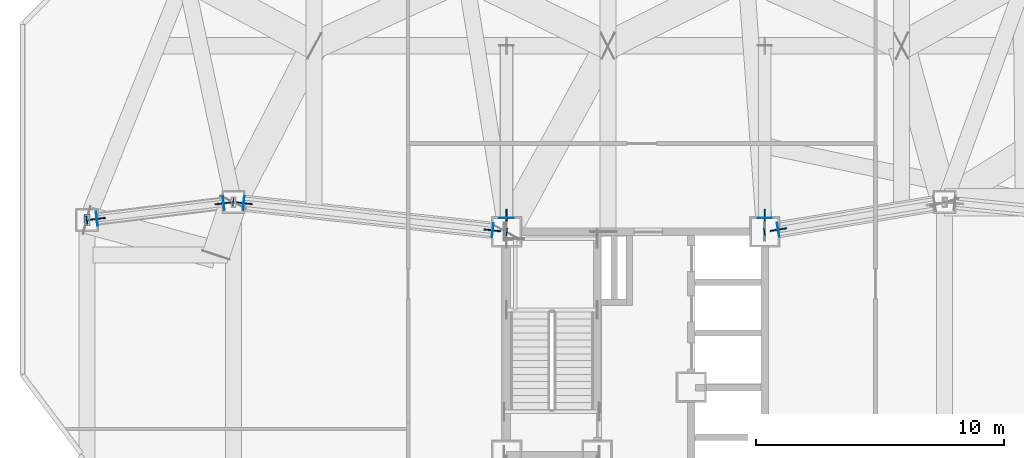
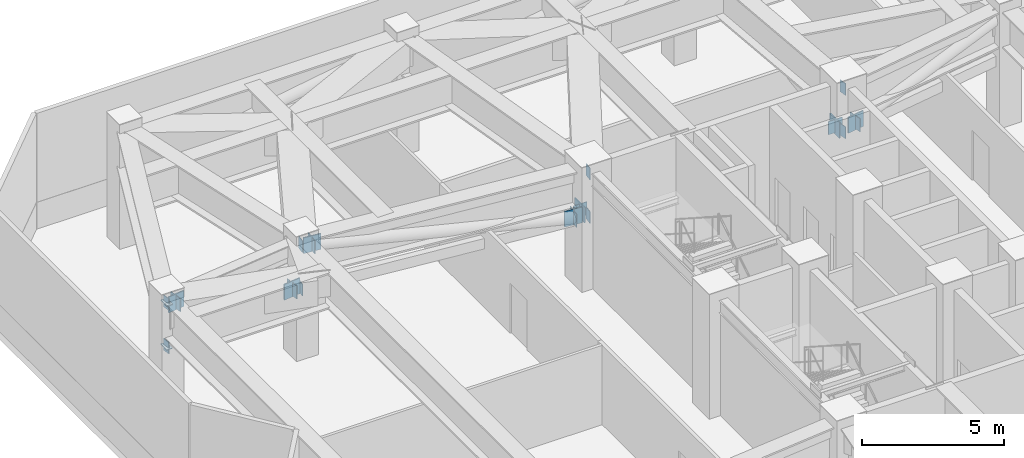
# One storey, part 10 of 19: 24 plates.
"""IFC4 building model written with IfcOpenShell, lengths in metres."""

from ifc_helpers import new_model, si_unit, direction, frame, origin, origin_2d, place, context, subcontext, project, spatial, rectangle, extrude, material, layer, layer_set, type_object, element, save


model = new_model("IFC4")

# Units and contexts
model_context = context("Model", 3, precision=1e-05, world=origin(), true_north=direction((0.0, 1.0)))
body_context = subcontext(model_context, "Body", "Model", "MODEL_VIEW")
ifc_project = project(units=[si_unit("LENGTHUNIT", "METRE"), si_unit("AREAUNIT", "SQUARE_METRE"), si_unit("VOLUMEUNIT", "CUBIC_METRE"), si_unit("PLANEANGLEUNIT", "RADIAN"), si_unit("MASSUNIT", "GRAM", prefix="KILO")], contexts=[model_context])

# Site, building, storey
site_placement = place(None, origin())
site = spatial("IfcSite", under=ifc_project, at=site_placement, CompositionType="ELEMENT")
building_placement = place(site_placement, origin())
building = spatial("IfcBuilding", under=site, at=building_placement, Name="Khamvora Tower", CompositionType="ELEMENT")
storey_placement = place(building_placement, frame((0.0, 0.0, 150.5)))
storey = spatial("IfcBuildingStorey", under=building, at=storey_placement, Name="L38", CompositionType="ELEMENT", Elevation=150.5)

# Plates
ifc_material_1 = material(Name="Steel S355", Category="steel")
ifc_layer_1 = layer(ifc_material_1, 0.02490234375)
ifc_layer_set_1 = layer_set([ifc_layer_1], Name="Steel S355")
plate_type_1 = type_object("IfcPlateType", Name="PL-CAP-25", PredefinedType="SHEET", material=ifc_layer_set_1)
for number, where, z_axis, x_axis, name in (
    (1, (29.011962890625, 36.9990234375, 4.375), (0.0, 0.0, 1.0), (-0.994101853063, 0.108450475968, 0.0), "L38 hollow section steel end cap plate 0808"),
    (2, (17.988037109375, 38.200927734375, 4.375), (0.0, 0.0, 1.0), (-0.994101853063, 0.108450475968, 0.0), "L38 hollow section steel end cap plate 0809"),
    (3, (29.011962890625, 36.9990234375, 2.5048828125), (0.0, 0.0, 1.0), (-0.994101853063, 0.108450475968, 0.0), "L38 hollow section steel end cap plate 0810"),
    (4, (17.988037109375, 38.200927734375, 2.5048828125), (0.0, 0.0, 1.0), (-0.994101853063, 0.108450475968, 0.0), "L38 hollow section steel end cap plate 0811"),
):
    element("IfcPlate", number, at=place(storey_placement, frame(where, z_axis=z_axis, x_axis=x_axis)), inside=storey, type_object=plate_type_1, Name=name, PredefinedType="SHEET", context=body_context, shape_type="SweptSolid", body=[
        extrude(rectangle(XDim=0.02490234375, YDim=0.31005859375, at=origin_2d()), origin(), (0.0, 0.0, 1.0), 0.510009765625),
    ])
for number, where, z_axis, x_axis, name in (
    (5, (28.443115234375, 37.06103515625, 2.57080078125), (0.0, 0.0, 1.0), (-0.994101853063, 0.108450475968, 0.0), "L38 hollow section steel end cap plate 0812"),
    (6, (18.408935546875, 38.155029296875, 4.27587890625), (0.0, 0.0, 1.0), (-0.994101853063, 0.108450475968, 0.0), "L38 hollow section steel end cap plate 0813"),
):
    element("IfcPlate", number, at=place(storey_placement, frame(where, z_axis=z_axis, x_axis=x_axis)), inside=storey, type_object=plate_type_1, Name=name, PredefinedType="SHEET", context=body_context, shape_type="SweptSolid", body=[
        extrude(rectangle(XDim=0.02490234375, YDim=0.568115234375, at=origin_2d()), origin(), (0.0, 0.0, 1.0), 0.568115234375),
    ])
for number, where, z_axis, x_axis, name in (
    (7, (12.087890625, 37.472900390625, 4.375), (0.0, 0.0, 1.0), (-0.992535512756, -0.121955958933, 0.0), "L38 hollow section steel end cap plate 0814"),
    (8, (12.087890625, 37.472900390625, 2.5048828125), (0.0, 0.0, 1.0), (-0.992535512756, -0.121955958933, 0.0), "L38 hollow section steel end cap plate 0815"),
):
    element("IfcPlate", number, at=place(storey_placement, frame(where, z_axis=z_axis, x_axis=x_axis)), inside=storey, type_object=plate_type_1, Name=name, PredefinedType="SHEET", context=body_context, shape_type="SweptSolid", body=[
        extrude(rectangle(XDim=0.02490234375, YDim=0.31005859375, at=origin_2d()), origin(), (0.0, 0.0, 1.0), 0.510009765625),
    ])
for number, where, z_axis, x_axis, name in (
    (9, (17.60498046875, 38.15087890625, 2.60107421875), (0.0, 0.0, 1.0), (-0.992533384071, -0.121973281927, 0.0), "L38 hollow section steel end cap plate 0816"),
    (10, (12.4951171875, 37.52392578125, 4.220703125), (0.0, 0.0, 1.0), (-0.992533384071, -0.121973281927, 0.0), "L38 hollow section steel end cap plate 0817"),
):
    element("IfcPlate", number, at=place(storey_placement, frame(where, z_axis=z_axis, x_axis=x_axis)), inside=storey, type_object=plate_type_1, Name=name, PredefinedType="SHEET", context=body_context, shape_type="SweptSolid", body=[
        extrude(rectangle(XDim=0.02490234375, YDim=0.568115234375, at=origin_2d()), origin(), (0.0, 0.0, 1.0), 0.568115234375),
    ])
for number, where, z_axis, x_axis, name in (
    (11, (12.10009765625, 37.47509765625, 2.735595703125), (0.0, 0.0, 1.0), (1.0, 0.0, 0.0), "L38 hollow section steel end cap plate 0818"),
    (12, (12.10009765625, 37.47509765625, 4.629638671875), (0.0, 0.0, 1.0), (1.0, 0.0, 0.0), "L38 hollow section steel end cap plate 0819"),
):
    element("IfcPlate", number, at=place(storey_placement, frame(where, z_axis=z_axis, x_axis=x_axis)), inside=storey, type_object=plate_type_1, Name=name, PredefinedType="SHEET", context=body_context, shape_type="SweptSolid", body=[
        extrude(rectangle(XDim=0.239990234375, YDim=0.43994140625, at=origin_2d()), origin(), (0.0, 0.0, 1.0), 0.02490234375),
    ])
for number, where, z_axis, x_axis, name in (
    (13, (39.387939453125, 36.998046875, 4.375), (0.0, 0.0, 1.0), (0.986577862158, 0.163291524277, 0.0), "L38 hollow section steel end cap plate 0832"),
    (14, (39.387939453125, 36.998046875, 2.5048828125), (0.0, 0.0, 1.0), (0.986577862158, 0.163291524277, 0.0), "L38 hollow section steel end cap plate 0834"),
):
    element("IfcPlate", number, at=place(storey_placement, frame(where, z_axis=z_axis, x_axis=x_axis)), inside=storey, type_object=plate_type_1, Name=name, PredefinedType="SHEET", context=body_context, shape_type="SweptSolid", body=[
        extrude(rectangle(XDim=0.02490234375, YDim=0.31005859375, at=origin_2d()), origin(), (0.0, 0.0, 1.0), 0.510009765625),
    ])
for number, where, z_axis, x_axis, name in (
    (15, (39.943115234375, 37.090087890625, 2.61572265625), (0.0, 0.0, 1.0), (0.986580711982, 0.16327430522, 0.0), "L38 hollow section steel end cap plate 0836"),
    (16, (29.0, 37.56201171875, 2.34716796875), (0.0, 0.0, 1.0), (0.0, 1.0, 0.0), "L38 hollow section steel end cap plate 0874"),
    (17, (39.39990234375, 37.56201171875, 2.34716796875), (0.0, 0.0, 1.0), (0.0, 1.0, 0.0), "L38 hollow section steel end cap plate 0876"),
):
    element("IfcPlate", number, at=place(storey_placement, frame(where, z_axis=z_axis, x_axis=x_axis)), inside=storey, type_object=plate_type_1, Name=name, PredefinedType="SHEET", context=body_context, shape_type="SweptSolid", body=[
        extrude(rectangle(XDim=0.02490234375, YDim=0.568115234375, at=origin_2d()), origin(), (0.0, 0.0, 1.0), 0.568115234375),
    ])
ifc_material_2 = material(Name="Steel S460", Category="steel")
ifc_layer_2 = layer(ifc_material_2, 0.050048828125)
ifc_layer_set_2 = layer_set([ifc_layer_2], Name="Steel S460")
plate_type_2 = type_object("IfcPlateType", Name="PLT-GUS-50", PredefinedType="SHEET", material=ifc_layer_set_2)
for number, where, z_axis, x_axis, name in (
    (18, (28.430908203125, 37.06201171875, 2.51708984375), (0.0, 0.0, 1.0), (-0.994101853063, 0.108450475968, 0.0), "L38 brace connection node gusset plate 0233"),
    (19, (18.4208984375, 38.154052734375, 4.21826171875), (0.0, 0.0, 1.0), (-0.994101853063, 0.108450475968, 0.0), "L38 brace connection node gusset plate 0234"),
    (20, (17.593017578125, 38.14990234375, 2.548828125), (0.0, 0.0, 1.0), (-0.992535512756, -0.121955958933, 0.0), "L38 brace connection node gusset plate 0235"),
    (21, (12.507080078125, 37.52490234375, 4.1611328125), (0.0, 0.0, 1.0), (-0.992535512756, -0.121955958933, 0.0), "L38 brace connection node gusset plate 0236"),
    (22, (39.955078125, 37.092041015625, 2.56298828125), (0.0, 0.0, 1.0), (0.986577862158, 0.163291524277, 0.0), "L38 brace connection node gusset plate 0241"),
    (23, (29.0, 37.573974609375, 2.29296875), (0.0, 0.0, 1.0), (0.0, 1.0, 0.0), "L38 brace connection node gusset plate 0259"),
    (24, (39.39990234375, 37.573974609375, 2.29296875), (0.0, 0.0, 1.0), (0.0, 1.0, 0.0), "L38 brace connection node gusset plate 0261"),
):
    element("IfcPlate", number, at=place(storey_placement, frame(where, z_axis=z_axis, x_axis=x_axis)), inside=storey, type_object=plate_type_2, Name=name, PredefinedType="SHEET", context=body_context, shape_type="SweptSolid", body=[
        extrude(rectangle(XDim=0.679931640625, YDim=0.050048828125, at=origin_2d()), origin(), (0.0, 0.0, 1.0), 0.679931640625),
    ])

save(model, "model.ifc")
